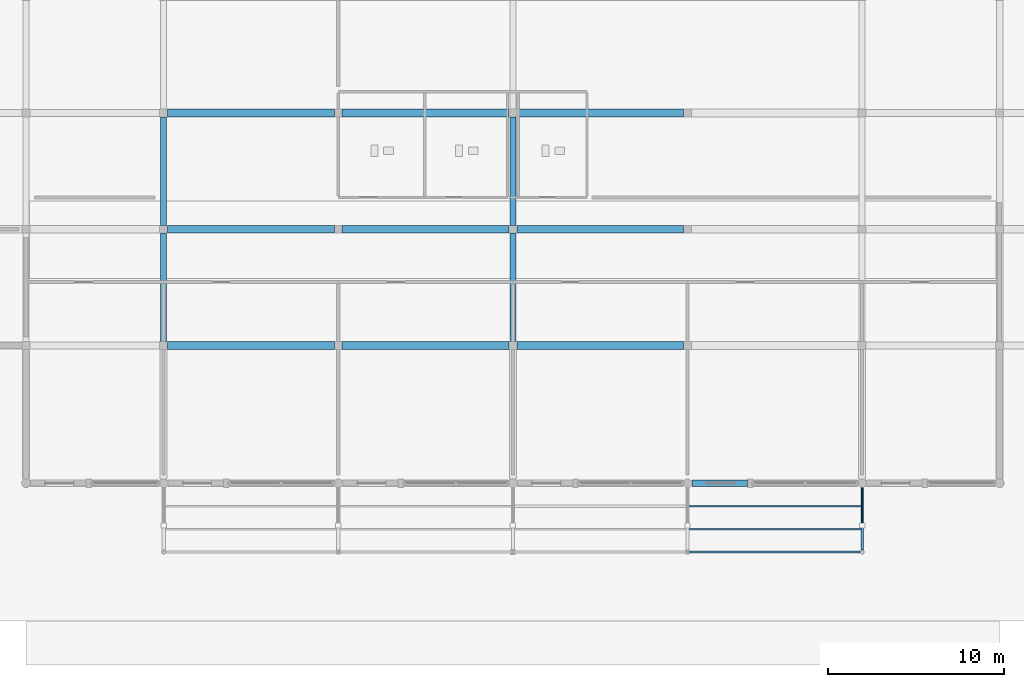
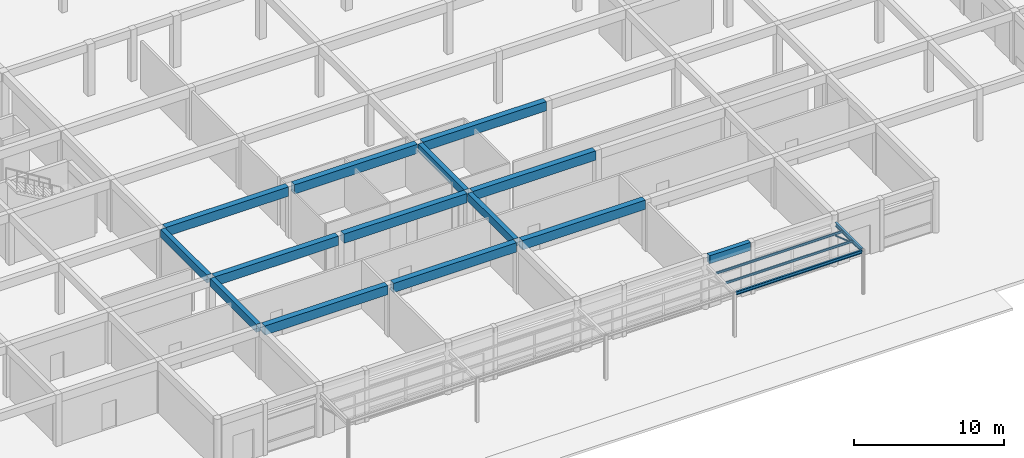
# One storey, part 22 of 75: 16 beams, 3 members.
"""IFC4 building model written with IfcOpenShell, lengths in metres."""

from ifc_helpers import new_model, si_unit, direction, frame, origin, origin_2d, place, context, subcontext, project, spatial, rectangle, hollow_circle, i_section, extrude, material, material_profile, profile_set, type_object, element, save


model = new_model("IFC4")

# Units and contexts
model_context = context("Model", 3, precision=1e-05, world=origin(), true_north=direction((0.0, 1.0)))
body_context = subcontext(model_context, "Body", "Model", "MODEL_VIEW")
ifc_project = project(units=[si_unit("LENGTHUNIT", "METRE"), si_unit("AREAUNIT", "SQUARE_METRE"), si_unit("VOLUMEUNIT", "CUBIC_METRE"), si_unit("PLANEANGLEUNIT", "RADIAN"), si_unit("MASSUNIT", "GRAM", prefix="KILO")], contexts=[model_context])

# Site, building, storey
site_placement = place(None, origin())
site = spatial("IfcSite", under=ifc_project, at=site_placement, CompositionType="ELEMENT")
building_placement = place(site_placement, origin())
building = spatial("IfcBuilding", under=site, at=building_placement, Name="Kernevlak Ridge Housing Community", CompositionType="ELEMENT")
storey_placement = place(building_placement, origin())
storey = spatial("IfcBuildingStorey", under=building, at=storey_placement, Name="L00", CompositionType="ELEMENT", Elevation=0.0)

# Beams
ifc_material_1 = material(Name="Concrete C35/45", Category="concrete")
ifc_material_profile_1 = material_profile(ifc_material_1, rectangle(XDim=0.35009765625, YDim=0.64990234375, at=origin_2d()), Name="RC 350x650")
ifc_profile_set_1 = profile_set([ifc_material_profile_1], Name="Concrete C35/45")
beam_type_1 = type_object("IfcBeamType", Name="B-02", PredefinedType="BEAM", material=ifc_profile_set_1)
beam_1_placement = place(storey_placement, frame((94.14990234375, 7.800048828125, 3.875), z_axis=(1.0, 0.0, 0.0), x_axis=(0.0, 1.0, 0.0)))
element("IfcBeam", 1, at=beam_1_placement, inside=storey, type_object=beam_type_1, Name="Beam B-02 L00 2049", PredefinedType="BEAM", context=body_context, shape_type="SweptSolid", body=[
    extrude(rectangle(XDim=0.35009765625, YDim=0.64990234375, at=origin_2d()), origin(), (0.0, 0.0, 1.0), 3.150146484375),
])
beam_2_placement = place(storey_placement, frame((64.199951171875, 15.824951171875, 3.875), z_axis=(0.0, 1.0, 0.0), x_axis=(-1.0, 0.0, 0.0)))
element("IfcBeam", 2, at=beam_2_placement, inside=storey, type_object=beam_type_1, Name="Beam B-02 L00 2314", PredefinedType="BEAM", context=body_context, shape_type="SweptSolid", body=[
    extrude(rectangle(XDim=0.35009765625, YDim=0.64990234375, at=origin_2d()), origin(), (0.0, 0.0, 1.0), 6.150146484375),
])
beam_3_placement = place(storey_placement, frame((64.199951171875, 22.425048828125, 3.875), z_axis=(0.0, 1.0, 0.0), x_axis=(-1.0, 0.0, 0.0)))
element("IfcBeam", 3, at=beam_3_placement, inside=storey, type_object=beam_type_1, Name="Beam B-02 L00 2315", PredefinedType="BEAM", context=body_context, shape_type="SweptSolid", body=[
    extrude(rectangle(XDim=0.35009765625, YDim=0.64990234375, at=origin_2d()), origin(), (0.0, 0.0, 1.0), 6.14990234375),
])
beam_4_placement = place(storey_placement, frame((84.0, 15.824951171875, 3.875), z_axis=(0.0, 1.0, 0.0), x_axis=(-1.0, 0.0, 0.0)))
element("IfcBeam", 4, at=beam_4_placement, inside=storey, type_object=beam_type_1, Name="Beam B-02 L00 2328", PredefinedType="BEAM", context=body_context, shape_type="SweptSolid", body=[
    extrude(rectangle(XDim=0.35009765625, YDim=0.64990234375, at=origin_2d()), origin(), (0.0, 0.0, 1.0), 6.150146484375),
])
beam_5_placement = place(storey_placement, frame((84.0, 22.425048828125, 3.875), z_axis=(0.0, 1.0, 0.0), x_axis=(-1.0, 0.0, 0.0)))
element("IfcBeam", 5, at=beam_5_placement, inside=storey, type_object=beam_type_1, Name="Beam B-02 L00 2329", PredefinedType="BEAM", context=body_context, shape_type="SweptSolid", body=[
    extrude(rectangle(XDim=0.35009765625, YDim=0.64990234375, at=origin_2d()), origin(), (0.0, 0.0, 1.0), 6.14990234375),
])
ifc_material_profile_2 = material_profile(ifc_material_1, rectangle(XDim=0.449951171875, YDim=0.75, at=origin_2d()), Name="RC 450x750")
ifc_profile_set_2 = profile_set([ifc_material_profile_2], Name="Concrete C35/45")
beam_type_2 = type_object("IfcBeamType", Name="B-05", PredefinedType="BEAM", material=ifc_profile_set_2)
for number, where, z_axis, x_axis, name in (
    (6, (64.425048828125, 15.60009765625, 3.824951171875), (1.0, 0.0, 0.0), (0.0, 1.0, 0.0), "Beam B-05 L00 2057"),
    (7, (74.324951171875, 15.60009765625, 3.824951171875), (1.0, 0.0, 0.0), (0.0, 1.0, 0.0), "Beam B-05 L00 2058"),
    (8, (84.22509765625, 15.60009765625, 3.824951171875), (1.0, 0.0, 0.0), (0.0, 1.0, 0.0), "Beam B-05 L00 2059"),
    (9, (64.425048828125, 22.199951171875, 3.824951171875), (1.0, 0.0, 0.0), (0.0, 1.0, 0.0), "Beam B-05 L00 2070"),
    (10, (74.324951171875, 22.199951171875, 3.824951171875), (1.0, 0.0, 0.0), (0.0, 1.0, 0.0), "Beam B-05 L00 2071"),
    (11, (84.22509765625, 22.199951171875, 3.824951171875), (1.0, 0.0, 0.0), (0.0, 1.0, 0.0), "Beam B-05 L00 2072"),
    (12, (64.425048828125, 28.800048828125, 3.824951171875), (1.0, 0.0, 0.0), (0.0, 1.0, 0.0), "Beam B-05 L00 2083"),
    (13, (74.324951171875, 28.800048828125, 3.824951171875), (1.0, 0.0, 0.0), (0.0, 1.0, 0.0), "Beam B-05 L00 2084"),
    (14, (84.22509765625, 28.800048828125, 3.824951171875), (1.0, 0.0, 0.0), (0.0, 1.0, 0.0), "Beam B-05 L00 2085"),
):
    element("IfcBeam", number, at=place(storey_placement, frame(where, z_axis=z_axis, x_axis=x_axis)), inside=storey, type_object=beam_type_2, Name=name, PredefinedType="BEAM", context=body_context, shape_type="SweptSolid", body=[
        extrude(rectangle(XDim=0.449951171875, YDim=0.75, at=origin_2d()), origin(), (0.0, 0.0, 1.0), 9.449951171875),
    ])

# Members
ifc_material_2 = material(Name="Steel S355", Category="steel")
ifc_material_profile_3 = material_profile(ifc_material_2, i_section(OverallWidth=0.091064453125, OverallDepth=0.179931640625, WebThickness=0.00537109375, FlangeThickness=0.008056640625, FilletRadius=0.009033203125, at=origin_2d()), Name="IPE 180")
ifc_profile_set_3 = profile_set([ifc_material_profile_3], Name="Steel S355")
member_type_1 = type_object("IfcMemberType", Name="PU-02", PredefinedType="PURLIN", material=ifc_profile_set_3)
for number, where, z_axis, x_axis, name in (
    (15, (93.9599609375, 5.199951171875, 3.530029296875), (1.0, 0.0, 0.0), (0.0, 1.0, 0.0), "Canopy steel purlin PU-02 4.1"),
    (16, (93.9599609375, 6.5, 3.530029296875), (1.0, 0.0, 0.0), (0.0, 1.0, 0.0), "Canopy steel purlin PU-02 4.2"),
):
    element("IfcMember", number, at=place(storey_placement, frame(where, z_axis=z_axis, x_axis=x_axis)), inside=storey, type_object=member_type_1, Name=name, PredefinedType="PURLIN", context=body_context, shape_type="SweptSolid", body=[
        extrude(i_section(OverallWidth=0.091064453125, OverallDepth=0.179931640625, WebThickness=0.00537109375, FlangeThickness=0.008056640625, FilletRadius=0.009033203125, at=origin_2d()), origin(), (0.0, 0.0, 1.0), 9.780029296875),
    ])

# Beams
ifc_material_profile_4 = material_profile(ifc_material_2, i_section(OverallWidth=0.14990234375, OverallDepth=0.300048828125, WebThickness=0.007080078125, FlangeThickness=0.0107421875, FilletRadius=0.014892578125, at=origin_2d()), Name="IPE 300")
ifc_profile_set_4 = profile_set([ifc_material_profile_4], Name="Steel S355")
beam_type_3 = type_object("IfcBeamType", Name="SB-05", PredefinedType="BEAM", material=ifc_profile_set_4)
beam_6_placement = place(storey_placement, frame((103.800048828125, 4.009521484375, 3.469970703125), z_axis=(0.0, 1.0, 0.0), x_axis=(-1.0, 0.0, 0.0)))
element("IfcBeam", 17, at=beam_6_placement, inside=storey, type_object=beam_type_3, Name="Canopy transverse steel beam SB-05 5", PredefinedType="BEAM", context=body_context, shape_type="SweptSolid", body=[
    extrude(i_section(OverallWidth=0.14990234375, OverallDepth=0.300048828125, WebThickness=0.007080078125, FlangeThickness=0.0107421875, FilletRadius=0.014892578125, at=origin_2d()), origin(), (0.0, 0.0, 1.0), 3.54052734375),
])
ifc_material_profile_5 = material_profile(ifc_material_2, i_section(OverallWidth=0.135009765625, OverallDepth=0.27001953125, WebThickness=0.006591796875, FlangeThickness=0.01025390625, FilletRadius=0.014892578125, at=origin_2d()), Name="IPE 270")
ifc_profile_set_5 = profile_set([ifc_material_profile_5], Name="Steel S355")
beam_type_4 = type_object("IfcBeamType", Name="SB-06", PredefinedType="BEAM", material=ifc_profile_set_5)
beam_7_placement = place(storey_placement, frame((94.0, 3.89990234375, 3.485107421875), z_axis=(1.0, 0.0, 0.0), x_axis=(0.0, 1.0, 0.0)))
element("IfcBeam", 18, at=beam_7_placement, inside=storey, type_object=beam_type_4, Name="Beam SB-06 L00 2475", PredefinedType="BEAM", context=body_context, shape_type="SweptSolid", body=[
    extrude(i_section(OverallWidth=0.135009765625, OverallDepth=0.27001953125, WebThickness=0.006591796875, FlangeThickness=0.01025390625, FilletRadius=0.014892578125, at=origin_2d()), origin(), (0.0, 0.0, 1.0), 9.6904296875),
])

# Member
ifc_material_profile_6 = material_profile(ifc_material_2, hollow_circle(Radius=0.05712890625, WallThickness=0.00634765625, at=origin_2d()), Name="CHS 114.3x6.3")
ifc_profile_set_6 = profile_set([ifc_material_profile_6], Name="Steel S355")
member_type_2 = type_object("IfcMemberType", Name="ST-01", PredefinedType="STRUT", material=ifc_profile_set_6)
member_placement = place(storey_placement, frame((103.800048828125, 7.550048828125, 2.5), z_axis=(0.0, -0.944073740773, 0.329734396119), x_axis=(1.0, 0.0, 0.0)))
element("IfcMember", 19, at=member_placement, inside=storey, type_object=member_type_2, Name="Canopy diagonal tie strut ST-01 5", PredefinedType="STRUT", context=body_context, shape_type="SweptSolid", body=[
    extrude(hollow_circle(Radius=0.05712890625, WallThickness=0.00634765625, at=origin_2d()), origin(), (0.0, 0.0, 1.0), 2.277587890625),
])

save(model, "model.ifc")
